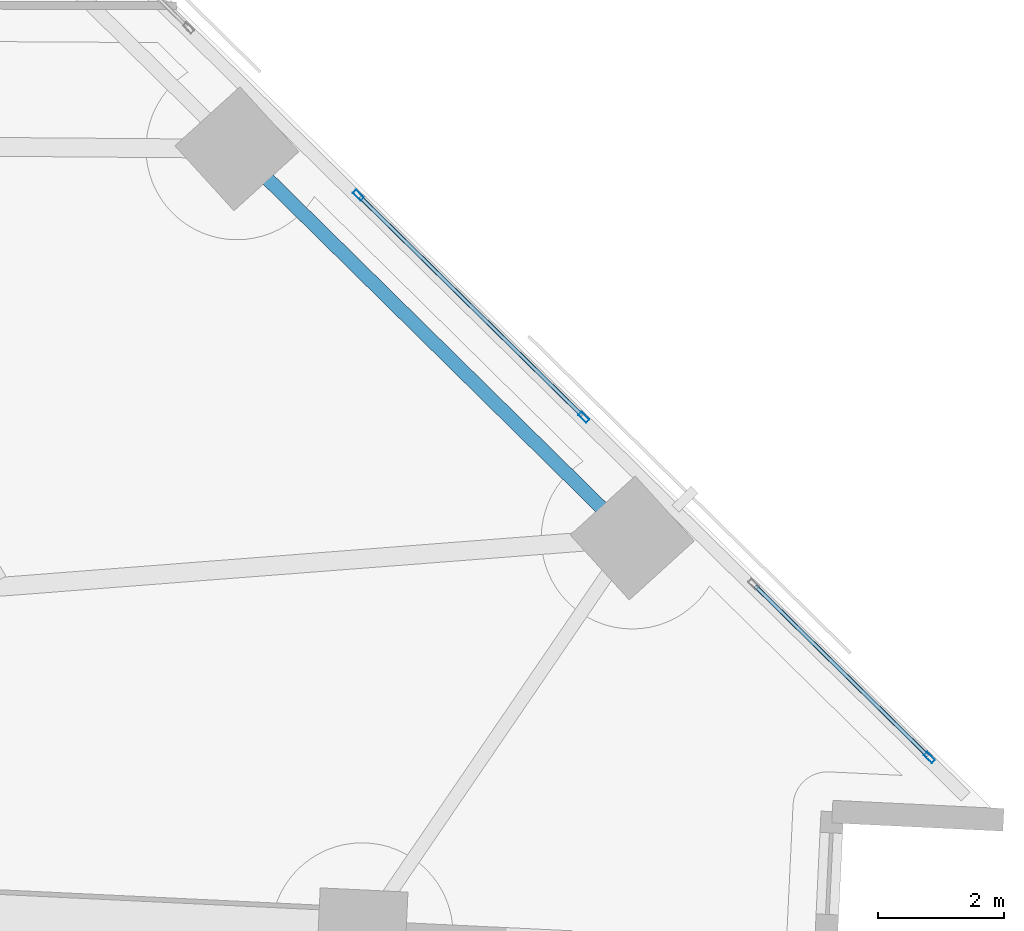
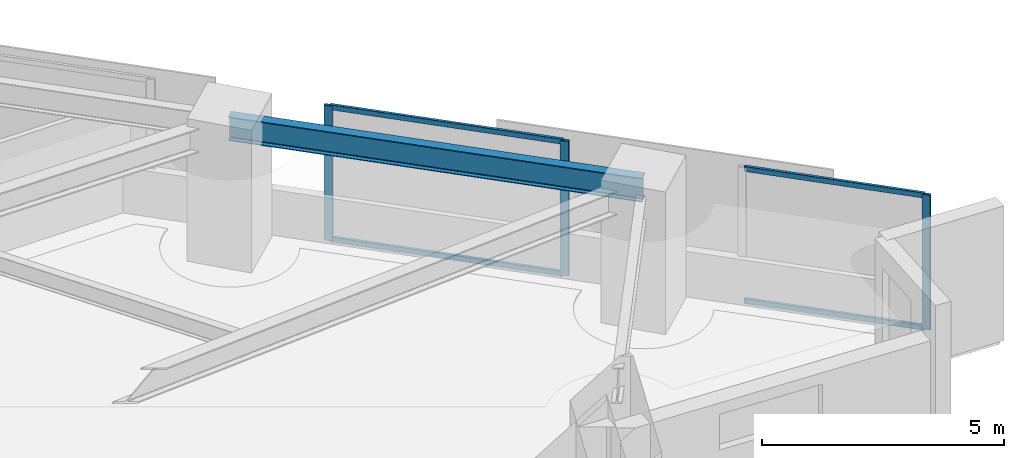
# One storey, part 5 of 17: 7 members, 1 beam, 2 elements without a shape of their own.
"""IFC4 building model written with IfcOpenShell, lengths in metres."""

from ifc_helpers import new_model, si_unit, direction, frame, origin, origin_2d, place, context, subcontext, project, spatial, hollow_rectangle, i_section, extrude, material, material_profile, profile_set, type_object, element, aggregate, save


model = new_model("IFC4")

# Units and contexts
model_context = context("Model", 3, precision=1e-05, world=origin(), true_north=direction((0.0, 1.0)))
body_context = subcontext(model_context, "Body", "Model", "MODEL_VIEW")
ifc_project = project(units=[si_unit("LENGTHUNIT", "METRE"), si_unit("AREAUNIT", "SQUARE_METRE"), si_unit("VOLUMEUNIT", "CUBIC_METRE"), si_unit("PLANEANGLEUNIT", "RADIAN"), si_unit("MASSUNIT", "GRAM", prefix="KILO")], contexts=[model_context])

# Site, building, storey
site_placement = place(None, origin())
site = spatial("IfcSite", under=ifc_project, at=site_placement, CompositionType="ELEMENT")
building_placement = place(site_placement, origin())
building = spatial("IfcBuilding", under=site, at=building_placement, Name="Narakoshi Arena Tower", CompositionType="ELEMENT")
storey_placement = place(building_placement, frame((0.0, 0.0, 41.10009765625)))
storey = spatial("IfcBuildingStorey", under=building, at=storey_placement, Name="L10", CompositionType="ELEMENT", Elevation=41.10009765625)

# Beam
ifc_material_1 = material(Name="Structural steel S355J2", Category="steel")
ifc_material_profile_1 = material_profile(ifc_material_1, i_section(OverallWidth=0.219970703125, OverallDepth=0.60009765625, WebThickness=0.011962890625, FlangeThickness=0.01904296875, FilletRadius=0.02392578125, at=origin_2d()), Name="IPE600")
ifc_profile_set_1 = profile_set([ifc_material_profile_1], Name="Structural steel S355J2")
beam_type = type_object("IfcBeamType", Name="BM-EDGE-600", PredefinedType="BEAM", material=ifc_profile_set_1)
beam_placement = place(storey_placement, frame((114.942138671875, 36.969970703125, 3.099853515625), z_axis=(-0.712540689328, 0.70163079041, 0.0), x_axis=(-0.70163079041, -0.712540689328, 0.0)))
element("IfcBeam", 1, at=beam_placement, inside=storey, type_object=beam_type, Name="L10 Perimeter Edge Girder 05", PredefinedType="BEAM", context=body_context, shape_type="SweptSolid", body=[
    extrude(i_section(OverallWidth=0.219970703125, OverallDepth=0.60009765625, WebThickness=0.011962890625, FlangeThickness=0.01904296875, FilletRadius=0.02392578125, at=origin_2d()), origin(), (0.0, 0.0, 1.0), 8.83935546875),
])

# Curtain wall, member
ifc_material_2 = material(Name="Anodised bronze aluminium 6063-T6", Category="aluminium")
curtain_wall_type = type_object("IfcCurtainWallType", Name="CW-HYP-LOW", PredefinedType="NOTDEFINED", material=ifc_material_2)
curtain_wall_1_placement = place(storey_placement, origin())
curtain_wall_1 = element("IfcCurtainWall", 2, at=curtain_wall_1_placement, inside=storey, type_object=curtain_wall_type, Name="L10 Folded Hypotenuse Curtain Wall 1-1", PredefinedType="NOTDEFINED")
ifc_material_profile_2 = material_profile(ifc_material_2, hollow_rectangle(XDim=0.074951171875, YDim=0.179931640625, WallThickness=0.00390625, OuterFilletRadius=0.0048828125, at=origin_2d()), Name="MUL180x75x4")
ifc_profile_set_2 = profile_set([ifc_material_profile_2], Name="Anodised bronze aluminium 6063-T6")
member_type_1 = type_object("IfcMemberType", Name="MEM-MUL-180", PredefinedType="MULLION", material=ifc_profile_set_2)
member_1_placement = place(storey_placement, frame((119.677734375, 33.471923828125, 0.0), z_axis=(0.0, 0.0, 1.0), x_axis=(-0.701630192894, -0.712541277695, 0.0)))
member_1 = element("IfcMember", 3, at=member_1_placement, type_object=member_type_1, Name="CW-01 mullion 1", PredefinedType="MULLION", context=body_context, shape_type="SweptSolid", body=[
    extrude(hollow_rectangle(XDim=0.074951171875, YDim=0.179931640625, WallThickness=0.00390625, OuterFilletRadius=0.0048828125, at=origin_2d()), origin(), (0.0, 0.0, 1.0), 3.39990234375),
])

# Curtain wall, members
curtain_wall_2_placement = place(storey_placement, origin())
curtain_wall_2 = element("IfcCurtainWall", 4, at=curtain_wall_2_placement, inside=storey, type_object=curtain_wall_type, Name="L10 Folded Hypotenuse Curtain Wall 1-2", PredefinedType="NOTDEFINED")
member_2_placement = place(storey_placement, frame((114.17138671875, 38.893798828125, 0.0), z_axis=(0.0, 0.0, 1.0), x_axis=(-0.701623031404, -0.712548329451, 0.0)))
member_2 = element("IfcMember", 5, at=member_2_placement, type_object=member_type_1, Name="CW-01 mullion 1", PredefinedType="MULLION", context=body_context, shape_type="SweptSolid", body=[
    extrude(hollow_rectangle(XDim=0.074951171875, YDim=0.179931640625, WallThickness=0.00390625, OuterFilletRadius=0.0048828125, at=origin_2d()), origin(), (0.0, 0.0, 1.0), 3.39990234375),
])
member_3_placement = place(storey_placement, frame((110.578857421875, 42.43115234375, 0.0), z_axis=(0.0, 0.0, 1.0), x_axis=(-0.701623031404, -0.712548329451, 0.0)))
member_3 = element("IfcMember", 6, at=member_3_placement, type_object=member_type_1, Name="CW-01 mullion 2", PredefinedType="MULLION", context=body_context, shape_type="SweptSolid", body=[
    extrude(hollow_rectangle(XDim=0.074951171875, YDim=0.179931640625, WallThickness=0.00390625, OuterFilletRadius=0.0048828125, at=origin_2d()), origin(), (0.0, 0.0, 1.0), 3.39990234375),
])

# Member
ifc_material_profile_3 = material_profile(ifc_material_2, hollow_rectangle(XDim=0.06494140625, YDim=0.1298828125, WallThickness=0.00390625, OuterFilletRadius=0.0048828125, at=origin_2d()), Name="TRN130x65x4")
ifc_profile_set_3 = profile_set([ifc_material_profile_3], Name="Anodised bronze aluminium 6063-T6")
member_type_2 = type_object("IfcMemberType", Name="MEM-TRN-130", PredefinedType="USERDEFINED", material=ifc_profile_set_3)
member_4_placement = place(storey_placement, frame((119.65087890625, 33.498046875, 0.032470703125), z_axis=(-0.712532234505, 0.701639376596, 0.0), x_axis=(-0.701639376596, -0.712532234505, 0.0)))
member_4 = element("IfcMember", 7, at=member_4_placement, type_object=member_type_2, Name="CW-01 transom 1.1", ObjectType="TRANSOM", PredefinedType="USERDEFINED", context=body_context, shape_type="SweptSolid", body=[
    extrude(hollow_rectangle(XDim=0.06494140625, YDim=0.1298828125, WallThickness=0.00390625, OuterFilletRadius=0.0048828125, at=origin_2d()), origin(), (0.0, 0.0, 1.0), 3.85498046875),
])

member_5_placement = place(storey_placement, frame((119.65087890625, 33.498046875, 3.367431640625), z_axis=(-0.712532234505, 0.701639376596, 0.0), x_axis=(-0.701639376596, -0.712532234505, 0.0)))
member_5 = element("IfcMember", 8, at=member_5_placement, type_object=member_type_2, Name="CW-01 transom 1.2", ObjectType="TRANSOM", PredefinedType="USERDEFINED", context=body_context, shape_type="SweptSolid", body=[
    extrude(hollow_rectangle(XDim=0.06494140625, YDim=0.1298828125, WallThickness=0.00390625, OuterFilletRadius=0.0048828125, at=origin_2d()), origin(), (0.0, 0.0, 1.0), 3.85498046875),
])

aggregate(curtain_wall_1, [member_1, member_4, member_5])

member_6_placement = place(storey_placement, frame((114.14453125, 38.920166015625, 0.032470703125), z_axis=(-0.712542243067, 0.701629212508, 0.0), x_axis=(-0.701629212508, -0.712542243067, 0.0)))
member_6 = element("IfcMember", 9, at=member_6_placement, type_object=member_type_2, Name="CW-01 transom 1.1", ObjectType="TRANSOM", PredefinedType="USERDEFINED", context=body_context, shape_type="SweptSolid", body=[
    extrude(hollow_rectangle(XDim=0.06494140625, YDim=0.1298828125, WallThickness=0.00390625, OuterFilletRadius=0.0048828125, at=origin_2d()), origin(), (0.0, 0.0, 1.0), 4.966552734375),
])

member_7_placement = place(storey_placement, frame((114.14453125, 38.920166015625, 3.367431640625), z_axis=(-0.712542243067, 0.701629212508, 0.0), x_axis=(-0.701629212508, -0.712542243067, 0.0)))
member_7 = element("IfcMember", 10, at=member_7_placement, type_object=member_type_2, Name="CW-01 transom 1.2", ObjectType="TRANSOM", PredefinedType="USERDEFINED", context=body_context, shape_type="SweptSolid", body=[
    extrude(hollow_rectangle(XDim=0.06494140625, YDim=0.1298828125, WallThickness=0.00390625, OuterFilletRadius=0.0048828125, at=origin_2d()), origin(), (0.0, 0.0, 1.0), 4.966552734375),
])

aggregate(curtain_wall_2, [member_2, member_3, member_6, member_7])

save(model, "model.ifc")
